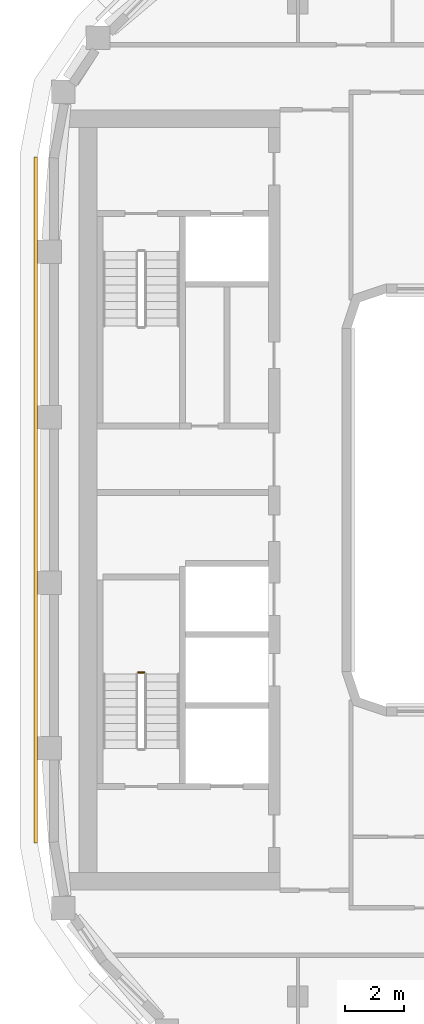
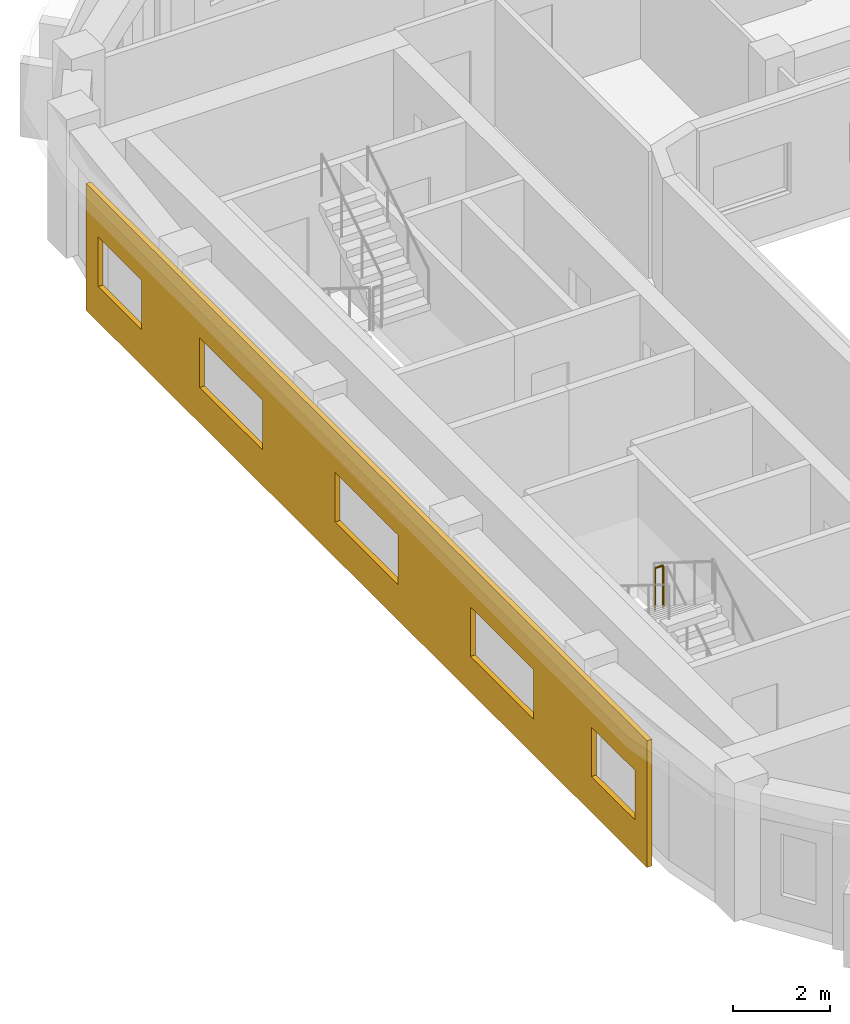
# One storey, part 12 of 18: 1 covering, 1 railing.
"""IFC4 building model written with IfcOpenShell, lengths in metres."""

from ifc_helpers import new_model, si_unit, direction, frame, origin, origin_2d, place, context, subcontext, project, spatial, polyline, circle, outline, extrude, material, layer, layer_set, type_object, element, save


model = new_model("IFC4")

# Units and contexts
model_context = context("Model", 3, precision=1e-05, world=origin(), true_north=direction((0.0, 1.0)))
body_context = subcontext(model_context, "Body", "Model", "MODEL_VIEW")
ifc_project = project(units=[si_unit("LENGTHUNIT", "METRE"), si_unit("AREAUNIT", "SQUARE_METRE"), si_unit("VOLUMEUNIT", "CUBIC_METRE"), si_unit("PLANEANGLEUNIT", "RADIAN"), si_unit("MASSUNIT", "GRAM", prefix="KILO")], contexts=[model_context])

# Site, building, storey
site_placement = place(None, origin())
site = spatial("IfcSite", under=ifc_project, at=site_placement, CompositionType="ELEMENT")
building_placement = place(site_placement, origin())
building = spatial("IfcBuilding", under=site, at=building_placement, Name="Kiln Ring Residences", CompositionType="ELEMENT")
storey_placement = place(building_placement, frame((0.0, 0.0, 262.699951171875)))
storey = spatial("IfcBuildingStorey", under=building, at=storey_placement, Name="L68", CompositionType="ELEMENT", Elevation=262.699951171875)

# Railing
ifc_material_1 = material(Name="Stainless steel", Category="steel")
railing_type = type_object("IfcRailingType", Name="CORE-STAIR-GUARD", PredefinedType="GUARDRAIL", material=ifc_material_1)
railing_placement = place(storey_placement, frame((-22.0, -5.830078125, 1.75)))
element("IfcRailing", 1, at=railing_placement, inside=storey, type_object=railing_type, Name="L68 W-STS stair guard 2", PredefinedType="GUARDRAIL", context=body_context, shape_type="SweptSolid", body=[
    extrude(circle(Radius=0.02392578125, at=origin_2d()), frame((0.0, 0.0, 1.076171875), z_axis=(-1.0, 0.0, 0.0), x_axis=(0.0, -1.0, 0.0)), (0.0, 0.0, 1.0), 0.199951171875),
    extrude(circle(Radius=0.02099609375, at=origin_2d()), origin(), (0.0, 0.0, 1.0), 1.052001953125),
    extrude(circle(Radius=0.02099609375, at=origin_2d()), frame((-0.199951171875, 0.0, 0.0)), (0.0, 0.0, 1.0), 1.052001953125),
])

# Covering
ifc_material_2 = material(Name="Brick masonry, dark clay brick", Category="masonry")
ifc_layer = layer(ifc_material_2, 0.1201171875)
ifc_layer_set = layer_set([ifc_layer], Name="RAINSCREEN PANEL 120")
covering_type = type_object("IfcCoveringType", Name="RAINSCREEN PANEL 120", PredefinedType="CLADDING", material=ifc_layer_set)
covering_placement = place(storey_placement, frame((-25.659912109375, 11.60009765625, 0.0), z_axis=(0.0, 0.0, 1.0), x_axis=(0.0, -1.0, 0.0)))
element("IfcCovering", 2, at=covering_placement, inside=storey, type_object=covering_type, Name="RAINSCREEN L68", PredefinedType="CLADDING", context=body_context, shape_type="SweptSolid", body=[
    extrude(outline(polyline([(0.0, 0.0), (23.199951171875, 0.0), (23.199951171875, 3.199951171875), (0.0, 3.199951171875), (0.0, 0.0)]), holes=[polyline([(2.300048828125, 0.900146484375), (2.300048828125, 2.150146484375), (0.5, 2.150146484375), (0.5, 0.900146484375), (2.300048828125, 0.900146484375)]), polyline([(7.300048828125, 0.900146484375), (7.300048828125, 2.150146484375), (4.699951171875, 2.150146484375), (4.699951171875, 0.900146484375), (7.300048828125, 0.900146484375)]), polyline([(12.89990234375, 0.900146484375), (12.89990234375, 2.150146484375), (10.300048828125, 2.150146484375), (10.300048828125, 0.900146484375), (12.89990234375, 0.900146484375)]), polyline([(15.89990234375, 0.900146484375), (18.5, 0.900146484375), (18.5, 2.150146484375), (15.89990234375, 2.150146484375), (15.89990234375, 0.900146484375)]), polyline([(20.89990234375, 0.900146484375), (22.699951171875, 0.900146484375), (22.699951171875, 2.150146484375), (20.89990234375, 2.150146484375), (20.89990234375, 0.900146484375)])]), frame((0.0, 0.06005859375, 0.0), z_axis=(0.0, -1.0, 0.0), x_axis=(1.0, 0.0, 0.0)), (0.0, 0.0, 1.0), 0.1201171875),
])

save(model, "model.ifc")
